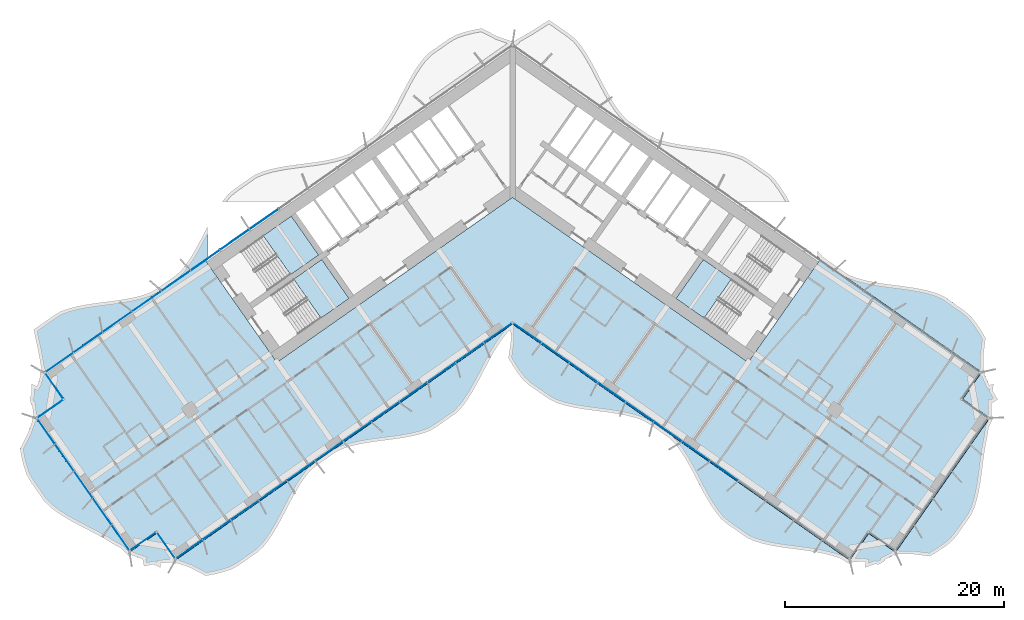
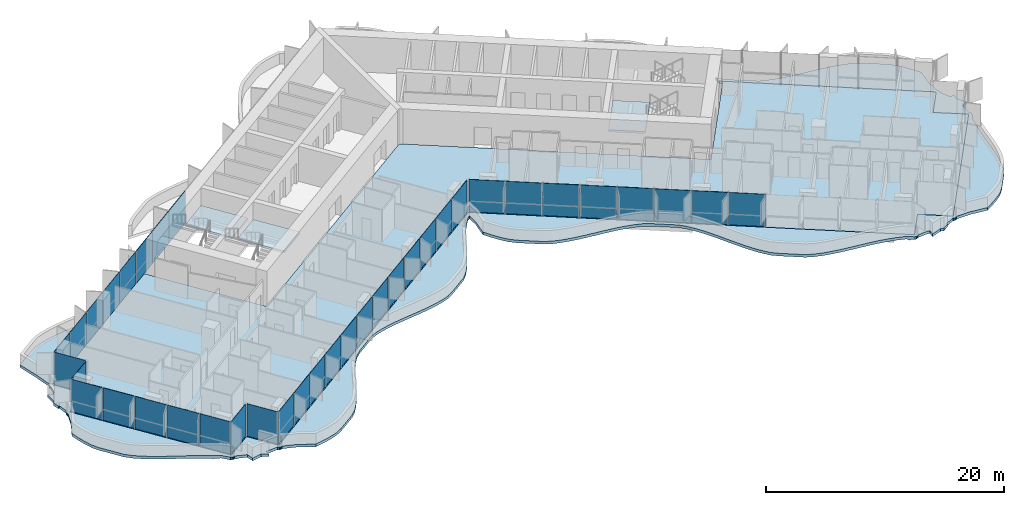
# One storey, part 11 of 25: 37 plates, 5 slabs, 5 elements without a shape of their own.
"""IFC4 building model written with IfcOpenShell, lengths in metres."""

import ifcopenshell
import ifcopenshell.guid

model = None  # the IFC model being written
_history = None  # IfcOwnerHistory: only IFC2X3 demands one
_inside = {}  # id of a spatial element -> (the spatial element, [elements in it])
_under = {}  # id of a project, library or spatial element -> (it, [spatial elements below it])
_declared = {}  # id of a project -> (the project, [libraries it declares])
_typed = {}  # id of a type object -> (the type object, [elements of that type])
_made_of = {}  # id of a material, layer set ... -> (it, [elements and type objects made of it])


def new_model(schema):
    """Start an empty IFC model of exactly this schema.

    Asked for "IFC4X3", IfcOpenShell would pick the latest addendum, in which some entities
    have other attributes; the version numbers below select the first issue.
    IFC2X3 requires an IfcOwnerHistory on every rooted entity: one is made here for all.
    """
    global model, _history
    if schema == "IFC4X3":
        model = ifcopenshell.file(schema_version=(4, 3, 0, 0))
    else:
        model = ifcopenshell.file(schema=schema)
    _inside.clear()
    _under.clear()
    _declared.clear()
    _typed.clear()
    _made_of.clear()
    _history = None
    if model.schema == "IFC2X3":
        org = make("IfcOrganization", Name="unknown")
        user = make(
            "IfcPersonAndOrganization",
            ThePerson=make("IfcPerson", FamilyName="unknown"),
            TheOrganization=org,
        )
        app = make(
            "IfcApplication",
            ApplicationDeveloper=org,
            Version="unknown",
            ApplicationFullName="unknown",
            ApplicationIdentifier="unknown",
        )
        _history = make(
            "IfcOwnerHistory",
            OwningUser=user,
            OwningApplication=app,
            ChangeAction="ADDED",
            CreationDate=0,
        )
    return model


def make(cls, **values):
    """One entity of the class cls with the attributes given. An attribute that is None is left unset."""
    return model.create_entity(
        cls, **{name: value for name, value in values.items() if value is not None}
    )


def rooted(cls, **values):
    """An entity with a GlobalId (a new one), such as an element, a storey or a relation."""
    return make(cls, GlobalId=ifcopenshell.guid.new(), OwnerHistory=_history, **values)


def si_unit(unit_type, name, prefix=None):
    """IfcSIUnit, for example si_unit("LENGTHUNIT", "METRE", prefix="MILLI")."""
    return make("IfcSIUnit", UnitType=unit_type, Prefix=prefix, Name=name)


def assignment(units):
    """IfcUnitAssignment: the units of a project."""
    return None if units is None else make("IfcUnitAssignment", Units=units)


def point(xyz):
    """IfcCartesianPoint."""
    return None if xyz is None else make("IfcCartesianPoint", Coordinates=xyz)


def direction(xyz):
    """IfcDirection."""
    return None if xyz is None else make("IfcDirection", DirectionRatios=xyz)


def frame(location, z_axis=None, x_axis=None):
    """IfcAxis2Placement3D, a coordinate frame: its origin and axes. An axis left out is left unset."""
    return make(
        "IfcAxis2Placement3D",
        Location=point(location),
        Axis=direction(z_axis),
        RefDirection=direction(x_axis),
    )


def frame_2d(location, x_axis=None):
    """IfcAxis2Placement2D, a coordinate frame in the plane: its origin and x axis."""
    return make(
        "IfcAxis2Placement2D", Location=point(location), RefDirection=direction(x_axis)
    )


def origin():
    """The frame at (0, 0, 0) with its axes left unset."""
    return frame((0.0, 0.0, 0.0))


def origin_2d():
    """The frame at (0, 0) in the plane with its x axis left unset."""
    return frame_2d((0.0, 0.0))


def place(relative_to, where):
    """IfcLocalPlacement: puts the frame where relative to a parent placement (None: the world)."""
    return make(
        "IfcLocalPlacement", PlacementRelTo=relative_to, RelativePlacement=where
    )


def context(
    kind, dimensions, precision=None, world=None, true_north=None, identifier=None
):
    """IfcGeometricRepresentationContext, for example the 3D "Model" context."""
    return make(
        "IfcGeometricRepresentationContext",
        ContextIdentifier=identifier,
        ContextType=kind,
        CoordinateSpaceDimension=dimensions,
        Precision=precision,
        WorldCoordinateSystem=world,
        TrueNorth=true_north,
    )


def subcontext(parent, identifier, kind, view, scale=None):
    """IfcGeometricRepresentationSubContext, for example "Body" below "Model"."""
    return make(
        "IfcGeometricRepresentationSubContext",
        ContextIdentifier=identifier,
        ContextType=kind,
        ParentContext=parent,
        TargetScale=scale,
        TargetView=view,
    )


def project(units=None, contexts=None):
    """IfcProject with its units and contexts."""
    return rooted(
        "IfcProject",
        Name="project",
        RepresentationContexts=contexts,
        UnitsInContext=assignment(units),
    )


def spatial(cls, under=None, at=None, **own):
    """A site, building, storey or space (cls), placed at a placement, below another one or the project."""
    s = rooted(cls, ObjectPlacement=at, **own)
    if under is not None:
        _under.setdefault(under.id(), (under, []))[1].append(s)
    return s


def polyline(points):
    """IfcPolyline through the points."""
    return make("IfcPolyline", Points=[point(p) for p in points])


def profile(cls, at=None, kind="AREA", **sizes):
    """A parametric profile (cls). Its sizes go by their IFC names, for example OverallWidth=200.0."""
    return make(cls, ProfileType=kind, Position=at, **sizes)


def rectangle(**sizes):
    """IfcRectangleProfileDef."""
    return profile("IfcRectangleProfileDef", **sizes)


def outline(outer, holes=None, kind="AREA"):
    """IfcArbitraryClosedProfileDef: a profile drawn as a closed curve; with holes, ...WithVoids."""
    if holes is None:
        return make("IfcArbitraryClosedProfileDef", ProfileType=kind, OuterCurve=outer)
    return make(
        "IfcArbitraryProfileDefWithVoids",
        ProfileType=kind,
        OuterCurve=outer,
        InnerCurves=holes,
    )


def extrude(swept, where, along, depth):
    """IfcExtrudedAreaSolid: the profile swept, set in the frame where, extruded along a direction by depth."""
    return make(
        "IfcExtrudedAreaSolid",
        SweptArea=swept,
        Position=where,
        ExtrudedDirection=direction(along),
        Depth=depth,
    )


def shape(context_of_items, identifier, shape_type, items):
    """IfcShapeRepresentation: the items that make up one representation, for example the "Body"."""
    return make(
        "IfcShapeRepresentation",
        ContextOfItems=context_of_items,
        RepresentationIdentifier=identifier,
        RepresentationType=shape_type,
        Items=items,
    )


def material(Name=None, Category=None):
    """IfcMaterial."""
    return make("IfcMaterial", Name=Name, Category=Category)


def layer(
    of_material, thickness, ventilated=None, Name=None, Category=None, Priority=None
):
    """IfcMaterialLayer: one layer of a wall or slab, of a material (None: an air gap)."""
    return make(
        "IfcMaterialLayer",
        Material=of_material,
        LayerThickness=thickness,
        IsVentilated=ventilated,
        Name=Name,
        Category=Category,
        Priority=Priority,
    )


def layer_set(layers, Name=None):
    """IfcMaterialLayerSet."""
    return make("IfcMaterialLayerSet", MaterialLayers=layers, LayerSetName=Name)


def made_of(thing, what):
    """Note that an element or type object is made of a material, layer set ...; save() writes the relation."""
    if what is not None:
        _made_of.setdefault(what.id(), (what, []))[1].append(thing)
    return thing


def type_object(cls, material=None, **own):
    """A type object (cls), such as IfcWallType, which elements share."""
    return made_of(rooted(cls, **own), material)


def element(
    cls,
    number,
    at=None,
    inside=None,
    cuts=None,
    type_object=None,
    material=None,
    context=None,
    identifier="Body",
    shape_type=None,
    held_by="IfcProductDefinitionShape",
    body=None,
    shapes=None,
    **own,
):
    """One element of the class cls, such as IfcWall. Its Tag is "e" and its number.

    at: its placement. inside: the storey or other place that contains it. cuts: it is an
    opening in that element (IfcRelVoidsElement). A single representation is given by context,
    identifier, shape_type and body (its items); several are given by shapes. held_by: the class
    of the entity that holds the representations. save() writes the other relations.
    """
    e = rooted(cls, Tag="e%d" % number, ObjectPlacement=at, **own)
    if body is not None:
        shapes = [shape(context, identifier, shape_type, body)]
    if shapes is not None:
        e.Representation = make(held_by, Representations=shapes)
    if inside is not None:
        _inside.setdefault(inside.id(), (inside, []))[1].append(e)
    if cuts is not None:
        rooted(
            "IfcRelVoidsElement", RelatingBuildingElement=cuts, RelatedOpeningElement=e
        )
    if type_object is not None:
        _typed.setdefault(type_object.id(), (type_object, []))[1].append(e)
    return made_of(e, material)


def aggregate(whole, parts):
    """IfcRelAggregates: a whole, such as a stair, and the parts it consists of."""
    return rooted("IfcRelAggregates", RelatingObject=whole, RelatedObjects=parts)


def save(model, path):
    """Write the relations noted so far, then the file.

    IfcRelAggregates (storeys below a building ...), IfcRelContainedInSpatialStructure (elements
    in a storey), IfcRelDefinesByType, IfcRelAssociatesMaterial and IfcRelDeclares: one each for
    every whole, place, type object, material and project.
    """
    for whole, parts in _under.values():
        aggregate(whole, parts)
    for where, things in _inside.values():
        rooted(
            "IfcRelContainedInSpatialStructure",
            RelatedElements=things,
            RelatingStructure=where,
        )
    for kind, things in _typed.values():
        rooted("IfcRelDefinesByType", RelatedObjects=things, RelatingType=kind)
    for what, things in _made_of.values():
        rooted("IfcRelAssociatesMaterial", RelatedObjects=things, RelatingMaterial=what)
    for by, libraries in _declared.values():
        rooted("IfcRelDeclares", RelatingContext=by, RelatedDefinitions=libraries)
    model.write(path)


model = new_model("IFC4")

# Units and contexts
model_context = context("Model", 3, precision=1e-05, world=origin(), true_north=direction((0.0, 1.0)))
body_context = subcontext(model_context, "Body", "Model", "MODEL_VIEW")
ifc_project = project(units=[si_unit("LENGTHUNIT", "METRE"), si_unit("AREAUNIT", "SQUARE_METRE"), si_unit("VOLUMEUNIT", "CUBIC_METRE"), si_unit("PLANEANGLEUNIT", "RADIAN"), si_unit("MASSUNIT", "GRAM", prefix="KILO")], contexts=[model_context])

# Site, building, storey
site_placement = place(None, origin())
site = spatial("IfcSite", under=ifc_project, at=site_placement, CompositionType="ELEMENT")
building_placement = place(site_placement, origin())
building = spatial("IfcBuilding", under=site, at=building_placement, Name="Tel Ilan Convention Tower", CompositionType="ELEMENT")
storey_placement = place(building_placement, frame((0.0, 0.0, 61.699951171875)))
storey = spatial("IfcBuildingStorey", under=building, at=storey_placement, Name="L10", CompositionType="ELEMENT", Elevation=61.699951171875)

# Curtain wall, plates
ifc_material_1 = material(Name="Aluminium, bronze anodised", Category="aluminium")
curtain_wall_type_1 = type_object("IfcCurtainWallType", Name="CW1 UNITISED CURTAIN WALL, HOTEL TINTED GLASS", PredefinedType="NOTDEFINED", material=ifc_material_1)
curtain_wall_1_placement = place(storey_placement, origin())
curtain_wall_1 = element("IfcCurtainWall", 1, at=curtain_wall_1_placement, inside=storey, type_object=curtain_wall_type_1, Name="Curtain wall CW1-11.02", PredefinedType="NOTDEFINED")
ifc_material_2 = material(Name="Glass, bronze tinted, two-ply unitised", Category="glass")
ifc_layer_1 = layer(ifc_material_2, 0.028076171875)
ifc_layer_set_1 = layer_set([ifc_layer_1], Name="CW HOTEL GLASS PANEL 28")
plate_type_1 = type_object("IfcPlateType", Name="CW HOTEL GLASS PANEL 28", PredefinedType="CURTAIN_PANEL", material=ifc_layer_set_1)
plate_1_placement = place(storey_placement, frame((-30.765869140625, -8.846435546875, 0.0), z_axis=(0.0, 0.0, 1.0), x_axis=(-0.819152044289, -0.573576436351, 0.0)))
plate_1 = element("IfcPlate", 2, at=plate_1_placement, type_object=plate_type_1, Name="Glass panel", PredefinedType="CURTAIN_PANEL", context=body_context, shape_type="SweptSolid", body=[
    extrude(rectangle(XDim=3.2119140625, YDim=0.028076171875, at=origin_2d()), origin(), (0.0, 0.0, 1.0), 3.320068359375),
])
plate_2_placement = place(storey_placement, frame((-33.446044921875, -10.72314453125, 0.0), z_axis=(0.0, 0.0, 1.0), x_axis=(-0.819152044289, -0.573576436351, 0.0)))
plate_2 = element("IfcPlate", 3, at=plate_2_placement, type_object=plate_type_1, Name="Glass panel", PredefinedType="CURTAIN_PANEL", context=body_context, shape_type="SweptSolid", body=[
    extrude(rectangle(XDim=3.2119140625, YDim=0.028076171875, at=origin_2d()), origin(), (0.0, 0.0, 1.0), 3.320068359375),
])
plate_3_placement = place(storey_placement, frame((-36.12646484375, -12.599853515625, 0.0), z_axis=(0.0, 0.0, 1.0), x_axis=(-0.819152044289, -0.573576436351, 0.0)))
plate_3 = element("IfcPlate", 4, at=plate_3_placement, type_object=plate_type_1, Name="Glass panel", PredefinedType="CURTAIN_PANEL", context=body_context, shape_type="SweptSolid", body=[
    extrude(rectangle(XDim=3.2119140625, YDim=0.028076171875, at=origin_2d()), origin(), (0.0, 0.0, 1.0), 3.320068359375),
])
plate_4_placement = place(storey_placement, frame((-38.806640625, -14.4765625, 0.0), z_axis=(0.0, 0.0, 1.0), x_axis=(-0.819152044289, -0.573576436351, 0.0)))
plate_4 = element("IfcPlate", 5, at=plate_4_placement, type_object=plate_type_1, Name="Glass panel", PredefinedType="CURTAIN_PANEL", context=body_context, shape_type="SweptSolid", body=[
    extrude(rectangle(XDim=3.2119140625, YDim=0.028076171875, at=origin_2d()), origin(), (0.0, 0.0, 1.0), 3.320068359375),
])
plate_5_placement = place(storey_placement, frame((-41.448486328125, -16.326416015625, 0.0), z_axis=(0.0, 0.0, 1.0), x_axis=(-0.819152044289, -0.573576436351, 0.0)))
plate_5 = element("IfcPlate", 6, at=plate_5_placement, type_object=plate_type_1, Name="Glass panel", PredefinedType="CURTAIN_PANEL", context=body_context, shape_type="SweptSolid", body=[
    extrude(rectangle(XDim=3.117919921875, YDim=0.028076171875, at=origin_2d()), origin(), (0.0, 0.0, 1.0), 3.320068359375),
])
plate_6_placement = place(storey_placement, frame((-41.90673828125, -18.431640625, 0.0), z_axis=(0.0, 0.0, 1.0), x_axis=(0.573576436351, -0.819152044289, 0.0)))
plate_6 = element("IfcPlate", 7, at=plate_6_placement, type_object=plate_type_1, Name="Glass panel", PredefinedType="CURTAIN_PANEL", context=body_context, shape_type="SweptSolid", body=[
    extrude(rectangle(XDim=2.875, YDim=0.028076171875, at=origin_2d()), origin(), (0.0, 0.0, 1.0), 3.320068359375),
])
plate_7_placement = place(storey_placement, frame((-42.28466796875, -20.57421875, 0.0), z_axis=(0.0, 0.0, 1.0), x_axis=(-0.819152044289, -0.573576436351, 0.0)))
plate_7 = element("IfcPlate", 8, at=plate_7_placement, type_object=plate_type_1, Name="Glass panel", PredefinedType="CURTAIN_PANEL", context=body_context, shape_type="SweptSolid", body=[
    extrude(rectangle(XDim=2.875, YDim=0.028076171875, at=origin_2d()), origin(), (0.0, 0.0, 1.0), 3.320068359375),
])
plate_8_placement = place(storey_placement, frame((-42.65185546875, -22.597900390625, 0.0), z_axis=(0.0, 0.0, 1.0), x_axis=(0.573576436351, -0.819152044289, 0.0)))
plate_8 = element("IfcPlate", 9, at=plate_8_placement, type_object=plate_type_1, Name="Glass panel", PredefinedType="CURTAIN_PANEL", context=body_context, shape_type="SweptSolid", body=[
    extrude(rectangle(XDim=2.845947265625, YDim=0.028076171875, at=origin_2d()), origin(), (0.0, 0.0, 1.0), 3.320068359375),
])
plate_9_placement = place(storey_placement, frame((-40.9580078125, -25.016845703125, 0.0), z_axis=(0.0, 0.0, 1.0), x_axis=(0.573576436351, -0.819152044289, 0.0)))
plate_9 = element("IfcPlate", 10, at=plate_9_placement, type_object=plate_type_1, Name="Glass panel", PredefinedType="CURTAIN_PANEL", context=body_context, shape_type="SweptSolid", body=[
    extrude(rectangle(XDim=2.93994140625, YDim=0.028076171875, at=origin_2d()), origin(), (0.0, 0.0, 1.0), 3.320068359375),
])
plate_10_placement = place(storey_placement, frame((-39.2373046875, -27.474365234375, 0.0), z_axis=(0.0, 0.0, 1.0), x_axis=(0.573576436351, -0.819152044289, 0.0)))
plate_10 = element("IfcPlate", 11, at=plate_10_placement, type_object=plate_type_1, Name="Glass panel", PredefinedType="CURTAIN_PANEL", context=body_context, shape_type="SweptSolid", body=[
    extrude(rectangle(XDim=2.93994140625, YDim=0.028076171875, at=origin_2d()), origin(), (0.0, 0.0, 1.0), 3.320068359375),
])
plate_11_placement = place(storey_placement, frame((-37.5166015625, -29.931884765625, 0.0), z_axis=(0.0, 0.0, 1.0), x_axis=(0.573576436351, -0.819152044289, 0.0)))
plate_11 = element("IfcPlate", 12, at=plate_11_placement, type_object=plate_type_1, Name="Glass panel", PredefinedType="CURTAIN_PANEL", context=body_context, shape_type="SweptSolid", body=[
    extrude(rectangle(XDim=2.93994140625, YDim=0.028076171875, at=origin_2d()), origin(), (0.0, 0.0, 1.0), 3.320068359375),
])
plate_12_placement = place(storey_placement, frame((-35.822998046875, -32.350830078125, 0.0), z_axis=(0.0, 0.0, 1.0), x_axis=(0.573576436351, -0.819152044289, 0.0)))
plate_12 = element("IfcPlate", 13, at=plate_12_placement, type_object=plate_type_1, Name="Glass panel", PredefinedType="CURTAIN_PANEL", context=body_context, shape_type="SweptSolid", body=[
    extrude(rectangle(XDim=2.845947265625, YDim=0.028076171875, at=origin_2d()), origin(), (0.0, 0.0, 1.0), 3.320068359375),
])
plate_13_placement = place(storey_placement, frame((-33.795654296875, -32.69775390625, 0.0), z_axis=(0.0, 0.0, 1.0), x_axis=(0.819152044289, 0.573576436351, 0.0)))
plate_13 = element("IfcPlate", 14, at=plate_13_placement, type_object=plate_type_1, Name="Glass panel", PredefinedType="CURTAIN_PANEL", context=body_context, shape_type="SweptSolid", body=[
    extrude(rectangle(XDim=2.875, YDim=0.028076171875, at=origin_2d()), origin(), (0.0, 0.0, 1.0), 3.320068359375),
])
plate_14_placement = place(storey_placement, frame((-31.653076171875, -33.07568359375, 0.0), z_axis=(0.0, 0.0, 1.0), x_axis=(0.573576436351, -0.819152044289, 0.0)))
plate_14 = element("IfcPlate", 15, at=plate_14_placement, type_object=plate_type_1, Name="Glass panel", PredefinedType="CURTAIN_PANEL", context=body_context, shape_type="SweptSolid", body=[
    extrude(rectangle(XDim=2.875, YDim=0.028076171875, at=origin_2d()), origin(), (0.0, 0.0, 1.0), 3.320068359375),
])
plate_15_placement = place(storey_placement, frame((-29.5732421875, -33.4033203125, 0.0), z_axis=(0.0, 0.0, 1.0), x_axis=(0.819152044289, 0.573576436351, 0.0)))
plate_15 = element("IfcPlate", 16, at=plate_15_placement, type_object=plate_type_1, Name="Glass panel", PredefinedType="CURTAIN_PANEL", context=body_context, shape_type="SweptSolid", body=[
    extrude(rectangle(XDim=2.9833984375, YDim=0.028076171875, at=origin_2d()), origin(), (0.0, 0.0, 1.0), 3.320068359375),
])
plate_16_placement = place(storey_placement, frame((-27.041748046875, -31.630859375, 0.0), z_axis=(0.0, 0.0, 1.0), x_axis=(0.819152044289, 0.573576436351, 0.0)))
plate_16 = element("IfcPlate", 17, at=plate_16_placement, type_object=plate_type_1, Name="Glass panel", PredefinedType="CURTAIN_PANEL", context=body_context, shape_type="SweptSolid", body=[
    extrude(rectangle(XDim=3.077392578125, YDim=0.028076171875, at=origin_2d()), origin(), (0.0, 0.0, 1.0), 3.320068359375),
])
plate_17_placement = place(storey_placement, frame((-24.4716796875, -29.831298828125, 0.0), z_axis=(0.0, 0.0, 1.0), x_axis=(0.819152044289, 0.573576436351, 0.0)))
plate_17 = element("IfcPlate", 18, at=plate_17_placement, type_object=plate_type_1, Name="Glass panel", PredefinedType="CURTAIN_PANEL", context=body_context, shape_type="SweptSolid", body=[
    extrude(rectangle(XDim=3.077392578125, YDim=0.028076171875, at=origin_2d()), origin(), (0.0, 0.0, 1.0), 3.320068359375),
])
plate_18_placement = place(storey_placement, frame((-21.90185546875, -28.031982421875, 0.0), z_axis=(0.0, 0.0, 1.0), x_axis=(0.819152044289, 0.573576436351, 0.0)))
plate_18 = element("IfcPlate", 19, at=plate_18_placement, type_object=plate_type_1, Name="Glass panel", PredefinedType="CURTAIN_PANEL", context=body_context, shape_type="SweptSolid", body=[
    extrude(rectangle(XDim=3.077392578125, YDim=0.028076171875, at=origin_2d()), origin(), (0.0, 0.0, 1.0), 3.320068359375),
])
plate_19_placement = place(storey_placement, frame((-19.33203125, -26.232421875, 0.0), z_axis=(0.0, 0.0, 1.0), x_axis=(0.819152044289, 0.573576436351, 0.0)))
plate_19 = element("IfcPlate", 20, at=plate_19_placement, type_object=plate_type_1, Name="Glass panel", PredefinedType="CURTAIN_PANEL", context=body_context, shape_type="SweptSolid", body=[
    extrude(rectangle(XDim=3.077392578125, YDim=0.028076171875, at=origin_2d()), origin(), (0.0, 0.0, 1.0), 3.320068359375),
])
plate_20_placement = place(storey_placement, frame((-16.761962890625, -24.432861328125, 0.0), z_axis=(0.0, 0.0, 1.0), x_axis=(0.819152044289, 0.573576436351, 0.0)))
plate_20 = element("IfcPlate", 21, at=plate_20_placement, type_object=plate_type_1, Name="Glass panel", PredefinedType="CURTAIN_PANEL", context=body_context, shape_type="SweptSolid", body=[
    extrude(rectangle(XDim=3.077392578125, YDim=0.028076171875, at=origin_2d()), origin(), (0.0, 0.0, 1.0), 3.320068359375),
])
plate_21_placement = place(storey_placement, frame((-14.192138671875, -22.633544921875, 0.0), z_axis=(0.0, 0.0, 1.0), x_axis=(0.819152044289, 0.573576436351, 0.0)))
plate_21 = element("IfcPlate", 22, at=plate_21_placement, type_object=plate_type_1, Name="Glass panel", PredefinedType="CURTAIN_PANEL", context=body_context, shape_type="SweptSolid", body=[
    extrude(rectangle(XDim=3.077392578125, YDim=0.028076171875, at=origin_2d()), origin(), (0.0, 0.0, 1.0), 3.320068359375),
])
plate_22_placement = place(storey_placement, frame((-11.6220703125, -20.833984375, 0.0), z_axis=(0.0, 0.0, 1.0), x_axis=(0.819152044289, 0.573576436351, 0.0)))
plate_22 = element("IfcPlate", 23, at=plate_22_placement, type_object=plate_type_1, Name="Glass panel", PredefinedType="CURTAIN_PANEL", context=body_context, shape_type="SweptSolid", body=[
    extrude(rectangle(XDim=3.077392578125, YDim=0.028076171875, at=origin_2d()), origin(), (0.0, 0.0, 1.0), 3.320068359375),
])
plate_23_placement = place(storey_placement, frame((-9.05224609375, -19.034423828125, 0.0), z_axis=(0.0, 0.0, 1.0), x_axis=(0.819152044289, 0.573576436351, 0.0)))
plate_23 = element("IfcPlate", 24, at=plate_23_placement, type_object=plate_type_1, Name="Glass panel", PredefinedType="CURTAIN_PANEL", context=body_context, shape_type="SweptSolid", body=[
    extrude(rectangle(XDim=3.077392578125, YDim=0.028076171875, at=origin_2d()), origin(), (0.0, 0.0, 1.0), 3.320068359375),
])
plate_24_placement = place(storey_placement, frame((-6.482177734375, -17.23486328125, 0.0), z_axis=(0.0, 0.0, 1.0), x_axis=(0.819152044289, 0.573576436351, 0.0)))
plate_24 = element("IfcPlate", 25, at=plate_24_placement, type_object=plate_type_1, Name="Glass panel", PredefinedType="CURTAIN_PANEL", context=body_context, shape_type="SweptSolid", body=[
    extrude(rectangle(XDim=3.077392578125, YDim=0.028076171875, at=origin_2d()), origin(), (0.0, 0.0, 1.0), 3.320068359375),
])
plate_25_placement = place(storey_placement, frame((-3.912353515625, -15.435546875, 0.0), z_axis=(0.0, 0.0, 1.0), x_axis=(0.819152044289, 0.573576436351, 0.0)))
plate_25 = element("IfcPlate", 26, at=plate_25_placement, type_object=plate_type_1, Name="Glass panel", PredefinedType="CURTAIN_PANEL", context=body_context, shape_type="SweptSolid", body=[
    extrude(rectangle(XDim=3.077392578125, YDim=0.028076171875, at=origin_2d()), origin(), (0.0, 0.0, 1.0), 3.320068359375),
])
plate_26_placement = place(storey_placement, frame((-1.3427734375, -13.63623046875, 0.0), z_axis=(0.0, 0.0, 1.0), x_axis=(0.819152044289, 0.573576436351, 0.0)))
plate_26 = element("IfcPlate", 27, at=plate_26_placement, type_object=plate_type_1, Name="Glass panel", PredefinedType="CURTAIN_PANEL", context=body_context, shape_type="SweptSolid", body=[
    extrude(rectangle(XDim=3.076416015625, YDim=0.028076171875, at=origin_2d()), origin(), (0.0, 0.0, 1.0), 3.320068359375),
])
plate_27_placement = place(storey_placement, frame((1.354248046875, -13.644287109375, 0.0), z_axis=(0.0, 0.0, 1.0), x_axis=(0.819152044289, -0.573576436351, 0.0)))
plate_27 = element("IfcPlate", 28, at=plate_27_placement, type_object=plate_type_1, Name="Glass panel", PredefinedType="CURTAIN_PANEL", context=body_context, shape_type="SweptSolid", body=[
    extrude(rectangle(XDim=3.048095703125, YDim=0.028076171875, at=origin_2d()), origin(), (0.0, 0.0, 1.0), 3.320068359375),
])
plate_28_placement = place(storey_placement, frame((3.912353515625, -15.435546875, 0.0), z_axis=(0.0, 0.0, 1.0), x_axis=(0.819152044289, -0.573576436351, 0.0)))
plate_28 = element("IfcPlate", 29, at=plate_28_placement, type_object=plate_type_1, Name="Glass panel", PredefinedType="CURTAIN_PANEL", context=body_context, shape_type="SweptSolid", body=[
    extrude(rectangle(XDim=3.077392578125, YDim=0.028076171875, at=origin_2d()), origin(), (0.0, 0.0, 1.0), 3.320068359375),
])
plate_29_placement = place(storey_placement, frame((6.482177734375, -17.23486328125, 0.0), z_axis=(0.0, 0.0, 1.0), x_axis=(0.819152044289, -0.573576436351, 0.0)))
plate_29 = element("IfcPlate", 30, at=plate_29_placement, type_object=plate_type_1, Name="Glass panel", PredefinedType="CURTAIN_PANEL", context=body_context, shape_type="SweptSolid", body=[
    extrude(rectangle(XDim=3.077392578125, YDim=0.028076171875, at=origin_2d()), origin(), (0.0, 0.0, 1.0), 3.320068359375),
])
plate_30_placement = place(storey_placement, frame((9.05224609375, -19.034423828125, 0.0), z_axis=(0.0, 0.0, 1.0), x_axis=(0.819152044289, -0.573576436351, 0.0)))
plate_30 = element("IfcPlate", 31, at=plate_30_placement, type_object=plate_type_1, Name="Glass panel", PredefinedType="CURTAIN_PANEL", context=body_context, shape_type="SweptSolid", body=[
    extrude(rectangle(XDim=3.077392578125, YDim=0.028076171875, at=origin_2d()), origin(), (0.0, 0.0, 1.0), 3.320068359375),
])
plate_31_placement = place(storey_placement, frame((11.6220703125, -20.833984375, 0.0), z_axis=(0.0, 0.0, 1.0), x_axis=(0.819152044289, -0.573576436351, 0.0)))
plate_31 = element("IfcPlate", 32, at=plate_31_placement, type_object=plate_type_1, Name="Glass panel", PredefinedType="CURTAIN_PANEL", context=body_context, shape_type="SweptSolid", body=[
    extrude(rectangle(XDim=3.077392578125, YDim=0.028076171875, at=origin_2d()), origin(), (0.0, 0.0, 1.0), 3.320068359375),
])
plate_32_placement = place(storey_placement, frame((14.192138671875, -22.633544921875, 0.0), z_axis=(0.0, 0.0, 1.0), x_axis=(0.819152044289, -0.573576436351, 0.0)))
plate_32 = element("IfcPlate", 33, at=plate_32_placement, type_object=plate_type_1, Name="Glass panel", PredefinedType="CURTAIN_PANEL", context=body_context, shape_type="SweptSolid", body=[
    extrude(rectangle(XDim=3.077392578125, YDim=0.028076171875, at=origin_2d()), origin(), (0.0, 0.0, 1.0), 3.320068359375),
])
plate_33_placement = place(storey_placement, frame((16.761962890625, -24.432861328125, 0.0), z_axis=(0.0, 0.0, 1.0), x_axis=(0.819152044289, -0.573576436351, 0.0)))
plate_33 = element("IfcPlate", 34, at=plate_33_placement, type_object=plate_type_1, Name="Glass panel", PredefinedType="CURTAIN_PANEL", context=body_context, shape_type="SweptSolid", body=[
    extrude(rectangle(XDim=3.077392578125, YDim=0.028076171875, at=origin_2d()), origin(), (0.0, 0.0, 1.0), 3.320068359375),
])
plate_34_placement = place(storey_placement, frame((19.33203125, -26.232421875, 0.0), z_axis=(0.0, 0.0, 1.0), x_axis=(0.819152044289, -0.573576436351, 0.0)))
plate_34 = element("IfcPlate", 35, at=plate_34_placement, type_object=plate_type_1, Name="Glass panel", PredefinedType="CURTAIN_PANEL", context=body_context, shape_type="SweptSolid", body=[
    extrude(rectangle(XDim=3.077392578125, YDim=0.028076171875, at=origin_2d()), origin(), (0.0, 0.0, 1.0), 3.320068359375),
])
aggregate(curtain_wall_1, [plate_1, plate_2, plate_3, plate_4, plate_5, plate_6, plate_7, plate_8, plate_9, plate_10, plate_11, plate_12, plate_13, plate_14, plate_15, plate_16, plate_17, plate_18, plate_19, plate_20, plate_21, plate_22, plate_23, plate_24, plate_25, plate_26, plate_27, plate_28, plate_29, plate_30, plate_31, plate_32, plate_33, plate_34])

ifc_material_3 = material(Name="Aluminium, bronze anodised", Category="aluminium")
curtain_wall_type_2 = type_object("IfcCurtainWallType", Name="CW2 STICK CURTAIN WALL, SPANDREL PANELS", PredefinedType="NOTDEFINED", material=ifc_material_3)
curtain_wall_2_placement = place(storey_placement, origin())
curtain_wall_2 = element("IfcCurtainWall", 36, at=curtain_wall_2_placement, inside=storey, type_object=curtain_wall_type_2, Name="Curtain wall CW2-11.01", PredefinedType="NOTDEFINED")
ifc_material_4 = material(Name="Aluminium composite panel, bronze anodised", Category="aluminium")
ifc_layer_2 = layer(ifc_material_4, 0.06005859375)
ifc_layer_set_2 = layer_set([ifc_layer_2], Name="CW SPANDREL PANEL 60")
plate_type_2 = type_object("IfcPlateType", Name="CW SPANDREL PANEL 60", PredefinedType="CURTAIN_PANEL", material=ifc_layer_set_2)
plate_35_placement = place(storey_placement, frame((-22.72509765625, -3.216064453125, 0.0), z_axis=(0.0, 0.0, 1.0), x_axis=(-0.819152044289, -0.573576436351, 0.0)))
plate_35 = element("IfcPlate", 37, at=plate_35_placement, type_object=plate_type_2, Name="Spandrel panel", PredefinedType="CURTAIN_PANEL", context=body_context, shape_type="SweptSolid", body=[
    extrude(rectangle(XDim=3.2119140625, YDim=0.06005859375, at=origin_2d()), origin(), (0.0, 0.0, 1.0), 3.320068359375),
])
plate_36_placement = place(storey_placement, frame((-25.4052734375, -5.0927734375, 0.0), z_axis=(0.0, 0.0, 1.0), x_axis=(-0.819152044289, -0.573576436351, 0.0)))
plate_36 = element("IfcPlate", 38, at=plate_36_placement, type_object=plate_type_2, Name="Spandrel panel", PredefinedType="CURTAIN_PANEL", context=body_context, shape_type="SweptSolid", body=[
    extrude(rectangle(XDim=3.2119140625, YDim=0.06005859375, at=origin_2d()), origin(), (0.0, 0.0, 1.0), 3.320068359375),
])
plate_37_placement = place(storey_placement, frame((-28.08544921875, -6.9697265625, 0.0), z_axis=(0.0, 0.0, 1.0), x_axis=(-0.819152044289, -0.573576436351, 0.0)))
plate_37 = element("IfcPlate", 39, at=plate_37_placement, type_object=plate_type_2, Name="Spandrel panel", PredefinedType="CURTAIN_PANEL", context=body_context, shape_type="SweptSolid", body=[
    extrude(rectangle(XDim=3.2119140625, YDim=0.06005859375, at=origin_2d()), origin(), (0.0, 0.0, 1.0), 3.320068359375),
])
aggregate(curtain_wall_2, [plate_35, plate_36, plate_37])

# Stair, slab
ifc_material_5 = material(Name="Concrete C40/50", Category="concrete")
stair_type = type_object("IfcStairType", Name="Pressurised Exit Stair 20 risers 180 mm", PredefinedType="HALF_TURN_STAIR", material=ifc_material_5)
stair_1_placement = place(storey_placement, origin())
stair_1 = element("IfcStair", 40, at=stair_1_placement, inside=storey, type_object=stair_type, Name="L10 Pressurised Stair S1", PredefinedType="HALF_TURN_STAIR")
ifc_material_6 = material(Name="Concrete C40/50", Category="concrete")
ifc_layer_3 = layer(ifc_material_6, 0.199951171875)
ifc_layer_set_3 = layer_set([ifc_layer_3], Name="Concrete Stair Landing 200 mm C40/50")
slab_type_1 = type_object("IfcSlabType", Name="Concrete Stair Landing 200 mm", PredefinedType="LANDING", material=ifc_layer_set_3)
slab_1_placement = place(storey_placement, frame((0.0, 0.0, 1.60009765625)))
slab_1 = element("IfcSlab", 41, at=slab_1_placement, type_object=slab_type_1, Name="S1 landing 1", PredefinedType="LANDING", context=body_context, shape_type="SweptSolid", body=[
    extrude(outline(polyline([(-20.2958984375, -8.29052734375), (-17.7314453125, -6.494873046875), (-20.226318359375, -2.931640625), (-22.791015625, -4.727294921875), (-20.2958984375, -8.29052734375)])), origin(), (0.0, 0.0, 1.0), 0.199951171875),
])
aggregate(stair_1, [slab_1])

stair_2_placement = place(storey_placement, origin())
stair_2 = element("IfcStair", 42, at=stair_2_placement, inside=storey, type_object=stair_type, Name="L10 Pressurised Stair S2", PredefinedType="HALF_TURN_STAIR")
slab_2_placement = place(storey_placement, frame((0.0, 0.0, 1.60009765625)))
slab_2 = element("IfcSlab", 43, at=slab_2_placement, type_object=slab_type_1, Name="S2 landing 1", PredefinedType="LANDING", context=body_context, shape_type="SweptSolid", body=[
    extrude(outline(polyline([(-17.51416015625, -12.263427734375), (-14.949462890625, -10.4677734375), (-17.444580078125, -6.904541015625), (-20.00927734375, -8.7001953125), (-17.51416015625, -12.263427734375)])), origin(), (0.0, 0.0, 1.0), 0.199951171875),
])
aggregate(stair_2, [slab_2])

stair_3_placement = place(storey_placement, origin())
stair_3 = element("IfcStair", 44, at=stair_3_placement, inside=storey, type_object=stair_type, Name="L10 Pressurised Stair S4", PredefinedType="HALF_TURN_STAIR")
slab_3_placement = place(storey_placement, frame((0.0, 0.0, 1.60009765625)))
slab_3 = element("IfcSlab", 45, at=slab_3_placement, type_object=slab_type_1, Name="S4 landing 1", PredefinedType="LANDING", context=body_context, shape_type="SweptSolid", body=[
    extrude(outline(polyline([(20.00927734375, -8.7001953125), (17.444580078125, -6.904541015625), (14.949462890625, -10.4677734375), (17.51416015625, -12.263427734375), (20.00927734375, -8.7001953125)])), origin(), (0.0, 0.0, 1.0), 0.199951171875),
])
aggregate(stair_3, [slab_3])

# Slabs
ifc_material_7 = material(Name="Concrete C40/50", Category="concrete")
ifc_layer_4 = layer(ifc_material_7, 0.280029296875)
ifc_layer_set_4 = layer_set([ifc_layer_4], Name="Edge Ledge Slab 280 mm C40/50")
slab_type_2 = type_object("IfcSlabType", Name="Edge Ledge Slab 280 mm C40/50", PredefinedType="FLOOR", material=ifc_layer_set_4)
slab_4_placement = place(storey_placement, frame((0.0, 0.0, -0.280029296875)))
element("IfcSlab", 46, at=slab_4_placement, inside=storey, type_object=slab_type_2, Name="L10 edge ledge 1", PredefinedType="FLOOR", context=body_context, shape_type="SweptSolid", body=[
    extrude(outline(polyline([(-30.83935546875, -34.412109375), (0.0, -12.818115234375), (30.83935546875, -34.412109375), (31.006591796875, -34.173095703125), (31.8720703125, -32.93701171875), (32.56005859375, -31.95458984375), (35.017578125, -33.67529296875), (43.62109375, -21.387939453125), (41.163818359375, -19.667236328125), (42.884521484375, -17.209716796875), (27.875, -6.7001953125), (27.875, -6.095458984375), (28.356689453125, -6.663818359375), (28.9658203125, -7.097900390625), (30.191162109375, -7.955810546875), (30.819091796875, -8.36279296875), (31.54931640625, -8.623779296875), (32.318115234375, -8.830078125), (33.117919921875, -8.99169921875), (33.940185546875, -9.120849609375), (34.77587890625, -9.2314453125), (35.614501953125, -9.337646484375), (36.44580078125, -9.4541015625), (37.260009765625, -9.595458984375), (38.0478515625, -9.774169921875), (38.80126953125, -10.001953125), (39.492919921875, -10.318115234375), (41.330810546875, -11.605224609375), (41.898193359375, -12.098876953125), (42.38134765625, -12.712890625), (42.827880859375, -13.378662109375), (43.245849609375, -14.085693359375), (43.041259765625, -15.681884765625), (43.056396484375, -16.964111328125), (43.05322265625, -16.96875), (43.096435546875, -16.997802734375), (43.16162109375, -17.094970703125), (43.184326171875, -17.209716796875), (43.16162109375, -17.32470703125), (43.12548828125, -17.378662109375), (43.130126953125, -17.3818359375), (43.590087890625, -18.400390625), (43.980224609375, -18.259765625), (43.89599609375, -18.9287109375), (44.357421875, -19.7060546875), (43.8017578125, -20.049560546875), (43.78125, -20.04541015625), (43.793212890625, -21.142333984375), (43.789794921875, -21.14697265625), (43.833251953125, -21.17578125), (43.898193359375, -21.273193359375), (43.921142578125, -21.387939453125), (43.898193359375, -21.502685546875), (43.8623046875, -21.556884765625), (43.866943359375, -21.56005859375), (43.5263671875, -22.2373046875), (43.40673828125, -23.069091796875), (43.24267578125, -23.86962890625), (43.11181640625, -24.693603515625), (43.00048828125, -25.53125), (42.89404296875, -26.372314453125), (42.777587890625, -27.20654296875), (42.63720703125, -28.023681640625), (42.45947265625, -28.814697265625), (42.232421875, -29.571533203125), (41.919921875, -30.268310546875), (40.62939453125, -32.111328125), (40.13671875, -32.681884765625), (39.521728515625, -33.1669921875), (38.8544921875, -33.615234375), (38.145751953125, -34.034423828125), (36.55078125, -33.833251953125), (35.26318359375, -33.847412109375), (35.258544921875, -33.843994140625), (35.2294921875, -33.887451171875), (35.13232421875, -33.952392578125), (35.017578125, -33.975341796875), (34.902587890625, -33.952392578125), (34.8486328125, -33.91650390625), (34.845458984375, -33.921142578125), (33.979248046875, -34.3603515625), (34.032958984375, -34.45068359375), (33.477294921875, -34.794189453125), (33.17138671875, -34.73291015625), (32.20068359375, -35.082763671875), (32.267822265625, -34.55126953125), (32.01025390625, -34.49951171875), (31.0849609375, -34.583984375), (31.080322265625, -34.580810546875), (31.051513671875, -34.624267578125), (30.9541015625, -34.689208984375), (30.83935546875, -34.7119140625), (30.724609375, -34.689208984375), (30.67041015625, -34.653076171875), (30.667236328125, -34.65771484375), (30.052001953125, -34.24951171875), (29.31787109375, -34.010986328125), (28.5576171875, -33.809814453125), (27.76708984375, -33.6513671875), (26.955078125, -33.5244140625), (26.130126953125, -33.415283203125), (25.302490234375, -33.310546875), (24.481689453125, -33.19580078125), (23.67724609375, -33.0576171875), (22.898193359375, -32.8828125), (22.15234375, -32.6611328125), (21.460693359375, -32.362060546875), (19.646728515625, -31.091796875), (19.073486328125, -30.623291015625), (18.59130859375, -30.025146484375), (18.145263671875, -29.375), (17.728759765625, -28.682861328125), (17.333251953125, -27.960693359375), (16.949462890625, -27.2216796875), (16.567626953125, -26.47998046875), (16.177734375, -25.749755859375), (15.7705078125, -25.044189453125), (15.33740234375, -24.376220703125), (14.8701171875, -23.75634765625), (14.340576171875, -23.2255859375), (12.526611328125, -21.95556640625), (11.8798828125, -21.591796875), (11.14892578125, -21.3486328125), (10.38232421875, -21.15673828125), (9.5869140625, -21.005615234375), (8.771484375, -20.883056640625), (7.9453125, -20.77587890625), (7.1181640625, -20.67041015625), (6.2998046875, -20.552001953125), (5.499755859375, -20.40771484375), (4.726806640625, -20.224609375), (3.98828125, -19.9921875), (3.320068359375, -19.65966796875), (1.505859375, -18.389404296875), (0.95361328125, -17.89111328125), (0.47900390625, -17.281982421875), (0.03955078125, -16.62255859375), (-0.37109375, -15.922119140625), (-0.15185546875, -14.322021484375), (-0.16796875, -13.314697265625), (-0.422119140625, -13.502197265625), (-0.897216796875, -14.110595703125), (-1.346435546875, -14.75634765625), (-1.765380859375, -15.44482421875), (-2.16259765625, -16.16455078125), (-2.547119140625, -16.90234375), (-2.9287109375, -17.644287109375), (-3.3173828125, -18.37646484375), (-3.722412109375, -19.0849609375), (-4.15283203125, -19.757080078125), (-4.616455078125, -20.38232421875), (-5.134033203125, -20.929931640625), (-6.947998046875, -22.2001953125), (-7.584228515625, -22.57861328125), (-8.311279296875, -22.8271484375), (-9.074951171875, -23.023681640625), (-9.867919921875, -23.178466796875), (-10.681640625, -23.30322265625), (-11.507080078125, -23.4111328125), (-12.334716796875, -23.516357421875), (-13.154296875, -23.6328125), (-13.95654296875, -23.774169921875), (-14.732666015625, -23.952880859375), (-15.474853515625, -24.1796875), (-16.154541015625, -24.495849609375), (-17.96875, -25.76611328125), (-18.531494140625, -26.249267578125), (-19.010009765625, -26.85302734375), (-19.45263671875, -27.5078125), (-19.86669921875, -28.20361328125), (-20.2607421875, -28.927978515625), (-20.643798828125, -29.66748046875), (-21.02587890625, -30.40869140625), (-21.4169921875, -31.13720703125), (-21.826416015625, -31.839599609375), (-22.262939453125, -32.50341796875), (-22.733642578125, -33.117919921875), (-23.27490234375, -33.632080078125), (-25.0888671875, -34.90234375), (-25.74609375, -35.2509765625), (-26.48095703125, -35.488525390625), (-27.250732421875, -35.676025390625), (-28.049560546875, -35.822265625), (-29.47802734375, -35.069091796875), (-30.667236328125, -34.65771484375), (-30.67041015625, -34.653076171875), (-30.724609375, -34.689208984375), (-30.83935546875, -34.7119140625), (-30.9541015625, -34.689208984375), (-31.051513671875, -34.624267578125), (-31.080322265625, -34.580810546875), (-31.0849609375, -34.583984375), (-32.199462890625, -34.66796875), (-32.20068359375, -35.082763671875), (-32.80029296875, -34.77490234375), (-33.688720703125, -34.9423828125), (-33.821533203125, -34.302734375), (-33.810546875, -34.284912109375), (-34.845458984375, -33.921142578125), (-34.8486328125, -33.91650390625), (-34.902587890625, -33.952392578125), (-35.017578125, -33.975341796875), (-35.13232421875, -33.952392578125), (-35.2294921875, -33.887451171875), (-35.258544921875, -33.843994140625), (-35.26318359375, -33.847412109375), (-35.783203125, -33.2958984375), (-36.523681640625, -32.89892578125), (-37.22021484375, -32.470703125), (-37.94970703125, -32.066162109375), (-38.698486328125, -31.6748046875), (-39.452392578125, -31.287353515625), (-40.196533203125, -30.892578125), (-40.91650390625, -30.481201171875), (-41.59912109375, -30.04345703125), (-42.232421875, -29.571533203125), (-42.7802734375, -29.03955078125), (-44.07080078125, -27.1962890625), (-44.438720703125, -26.538330078125), (-44.68408203125, -25.794677734375), (-44.876953125, -25.01416015625), (-45.028564453125, -24.20458984375), (-44.2939453125, -22.77490234375), (-43.866943359375, -21.56005859375), (-43.8623046875, -21.556884765625), (-43.898193359375, -21.502685546875), (-43.921142578125, -21.387939453125), (-43.898193359375, -21.273193359375), (-43.833251953125, -21.17578125), (-43.789794921875, -21.14697265625), (-43.793212890625, -21.142333984375), (-43.909912109375, -20.177978515625), (-44.01318359375, -20.197509765625), (-44.14599609375, -19.55810546875), (-43.9833984375, -19.29150390625), (-43.980224609375, -18.259765625), (-43.50390625, -18.504638671875), (-43.3671875, -18.2802734375), (-43.130126953125, -17.3818359375), (-43.12548828125, -17.378662109375), (-43.16162109375, -17.32470703125), (-43.184326171875, -17.209716796875), (-43.16162109375, -17.094970703125), (-43.096435546875, -16.997802734375), (-43.05322265625, -16.96875), (-43.056396484375, -16.964111328125), (-43.364990234375, -15.219482421875), (-43.78125, -13.321044921875), (-43.168701171875, -12.89208984375), (-41.943603515625, -12.0341796875), (-41.30322265625, -11.64453125), (-40.56787109375, -11.390869140625), (-39.794921875, -11.19091796875), (-38.99169921875, -11.033935546875), (-38.1669921875, -10.90771484375), (-37.33056640625, -10.798583984375), (-36.4921875, -10.69189453125), (-35.66259765625, -10.572998046875), (-34.851318359375, -10.427734375), (-34.067138671875, -10.243408203125), (-33.318603515625, -10.0087890625), (-32.6416015625, -9.671630859375), (-30.8037109375, -8.384765625), (-30.250244140625, -7.87109375), (-29.772216796875, -7.250244140625), (-29.329345703125, -6.57861328125), (-28.91455078125, -5.8671875), (-28.518310546875, -5.129150390625), (-28.131103515625, -4.378173828125), (-27.875, -3.883544921875), (-27.875, -6.7001953125), (-42.884521484375, -17.209716796875), (-41.163818359375, -19.667236328125), (-43.62109375, -21.387939453125), (-35.017578125, -33.67529296875), (-32.56005859375, -31.95458984375), (-31.8720703125, -32.93701171875), (-31.008056640625, -34.1708984375), (-30.83935546875, -34.412109375)])), origin(), (0.0, 0.0, 1.0), 0.280029296875),
])
ifc_material_8 = material(Name="Concrete C40/50", Category="concrete")
ifc_layer_5 = layer(ifc_material_8, 0.280029296875)
ifc_layer_set_5 = layer_set([ifc_layer_5], Name="Flat Plate Floor Slab 280 mm C40/50")
slab_type_3 = type_object("IfcSlabType", Name="Flat Plate Floor Slab 280 mm C40/50", PredefinedType="FLOOR", material=ifc_layer_set_5)
slab_5_placement = place(storey_placement, frame((0.0, 0.0, -0.280029296875)))
element("IfcSlab", 47, at=slab_5_placement, inside=storey, type_object=slab_type_3, Name="L10 floor slab", PredefinedType="FLOOR", context=body_context, shape_type="SweptSolid", body=[
    extrude(outline(polyline([(-21.54345703125, -16.3056640625), (0.0, -1.220703125), (21.54345703125, -16.3056640625), (28.1396484375, -6.885498046875), (42.884521484375, -17.209716796875), (41.163818359375, -19.667236328125), (43.62109375, -21.387939453125), (35.017578125, -33.67529296875), (32.56005859375, -31.95458984375), (30.83935546875, -34.412109375), (0.0, -12.818115234375), (-30.83935546875, -34.412109375), (-32.56005859375, -31.95458984375), (-35.017578125, -33.67529296875), (-43.62109375, -21.387939453125), (-41.163818359375, -19.667236328125), (-42.884521484375, -17.209716796875), (-28.1396484375, -6.885498046875), (-21.54345703125, -16.3056640625)])), origin(), (0.0, 0.0, 1.0), 0.280029296875),
])

save(model, "model.ifc")
